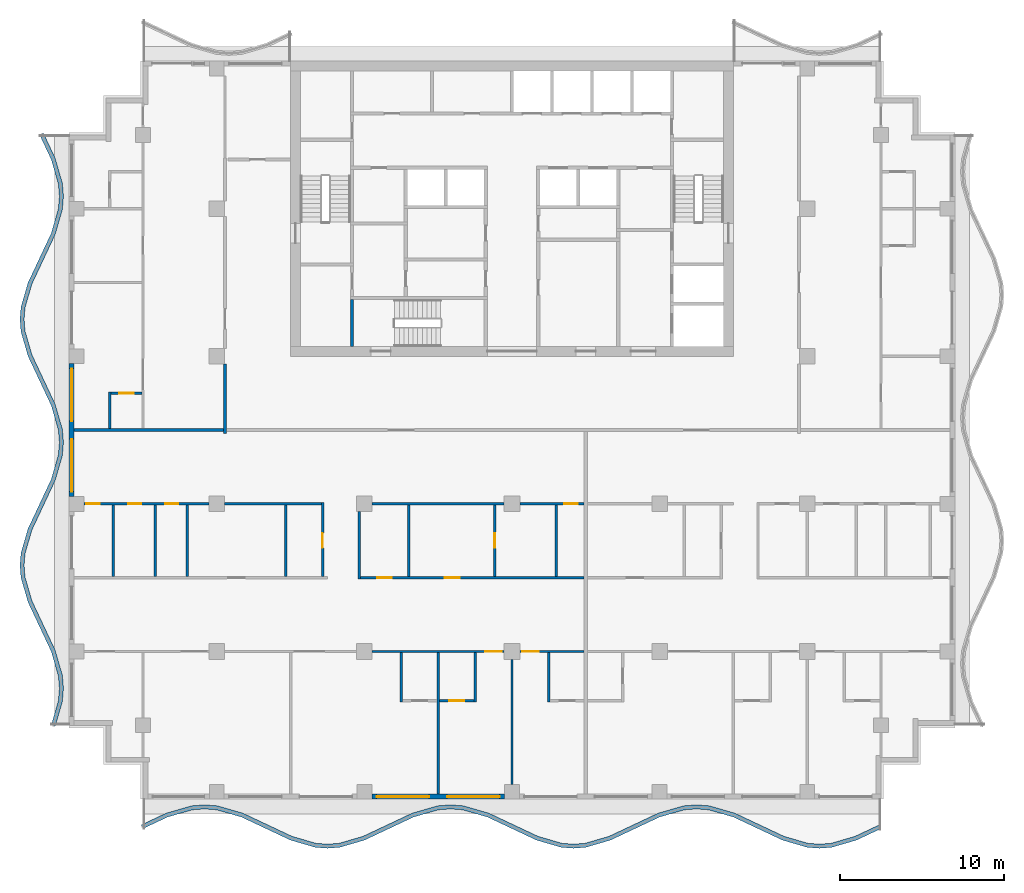
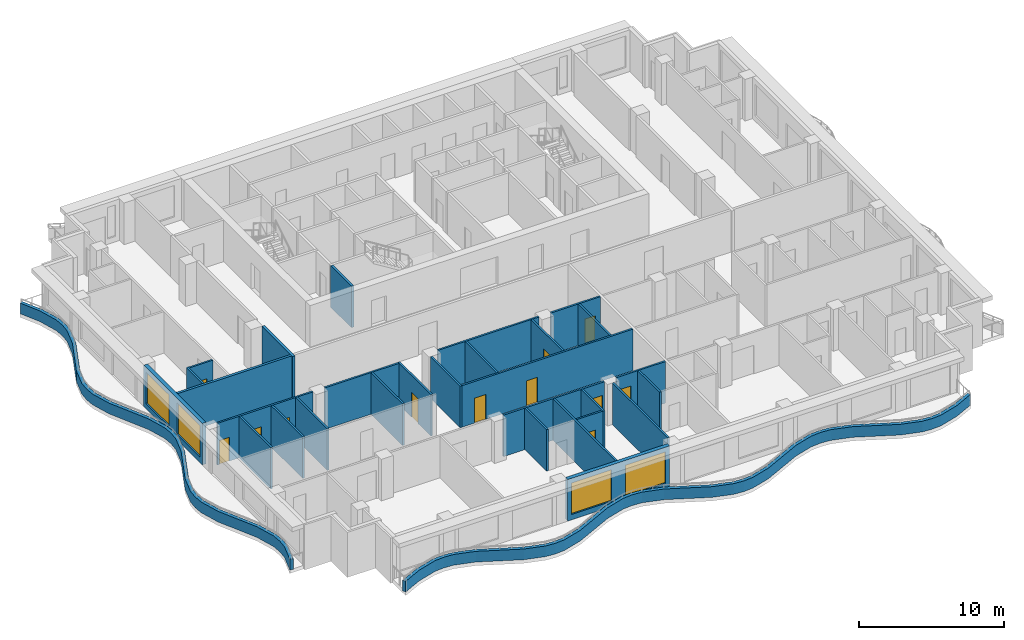
# One storey, part 2 of 11: 31 walls, 12 doors, 4 windows, 16 openings.
"""IFC4 building model written with IfcOpenShell, lengths in metres."""

from ifc_helpers import new_model, si_unit, direction, frame, frame_2d, origin, place, context, subcontext, project, spatial, polyline, rectangle, outline, extrude, material, layer, layer_set, type_object, element, fill, save


model = new_model("IFC4")

# Units and contexts
model_context = context("Model", 3, precision=1e-05, world=origin(), true_north=direction((0.0, 1.0)))
body_context = subcontext(model_context, "Body", "Model", "MODEL_VIEW")
ifc_project = project(units=[si_unit("LENGTHUNIT", "METRE"), si_unit("AREAUNIT", "SQUARE_METRE"), si_unit("VOLUMEUNIT", "CUBIC_METRE"), si_unit("PLANEANGLEUNIT", "RADIAN"), si_unit("MASSUNIT", "GRAM", prefix="KILO")], contexts=[model_context])

# Site, building, storey
site_placement = place(None, origin())
site = spatial("IfcSite", under=ifc_project, at=site_placement, CompositionType="ELEMENT")
building_placement = place(site_placement, origin())
building = spatial("IfcBuilding", under=site, at=building_placement, Name="Orbiselva Terraces", CompositionType="ELEMENT")
storey_placement = place(building_placement, frame((0.0, 0.0, 257.8)))
storey = spatial("IfcBuildingStorey", under=building, at=storey_placement, Name="L65", CompositionType="ELEMENT", Elevation=257.8)

# Walls
ifc_material_1 = material(Name="Concrete C60/75", Category="concrete")
ifc_layer_1 = layer(ifc_material_1, 0.2)
ifc_layer_set_1 = layer_set([ifc_layer_1], Name="Concrete C60/75")
wall_type_1 = type_object("IfcWallType", Name="CORE-WALL-SHEAR-200", PredefinedType="SHEAR", material=ifc_layer_set_1)
wall_1_placement = place(storey_placement, frame((-9.75, 5.1, 0.0), z_axis=(0.0, 0.0, 1.0), x_axis=(0.0, 1.0, 0.0)))
element("IfcWall", 1, at=wall_1_placement, inside=storey, type_object=wall_type_1, Name="L65 core wall 03", PredefinedType="SHEAR", context=body_context, shape_type="SweptSolid", body=[
    extrude(rectangle(XDim=2.85, YDim=0.2, at=frame_2d((1.425, 0.0))), origin(), (0.0, 0.0, 1.0), 3.5),
])
ifc_material_2 = material(Name="Concrete C40/50", Category="concrete")
ifc_layer_2 = layer(ifc_material_2, 0.25)
ifc_layer_set_2 = layer_set([ifc_layer_2], Name="Concrete C40/50")
wall_type_2 = type_object("IfcWallType", Name="ENV-PLANTER-250x900", PredefinedType="USERDEFINED", material=ifc_layer_set_2)
wall_2_placement = place(storey_placement, origin())
element("IfcWall", 2, at=wall_2_placement, inside=storey, type_object=wall_type_2, Name="Balcony planter L65 S", ObjectType="PLANTER", PredefinedType="USERDEFINED", context=body_context, shape_type="SweptSolid", body=[
    extrude(outline(polyline([(-22.5, -24.3), (-21.0, -23.594658), (-19.5, -23.158732), (-18.75, -23.1), (-18.0, -23.158732), (-16.5, -23.594658), (-15.0, -24.3), (-13.5, -25.005342), (-12.0, -25.441268), (-11.25, -25.5), (-10.5, -25.441268), (-9.0, -25.005342), (-7.5, -24.3), (-6.0, -23.594658), (-4.5, -23.158732), (-3.75, -23.1), (-3.0, -23.158732), (-1.5, -23.594658), (0.0, -24.3), (1.5, -25.005342), (3.0, -25.441268), (3.75, -25.5), (4.5, -25.441268), (6.0, -25.005342), (7.5, -24.3), (9.0, -23.594658), (10.5, -23.158732), (11.25, -23.1), (12.0, -23.158732), (13.5, -23.594658), (15.0, -24.3), (16.5, -25.005342), (18.0, -25.441268), (18.75, -25.5), (19.5, -25.441268), (21.0, -25.005342), (22.5, -24.3), (22.393617, -24.073764), (20.911382, -24.770753), (19.454886, -25.194035), (18.75, -25.249235), (18.045114, -25.194035), (16.588618, -24.770753), (15.106383, -24.073764), (13.588618, -23.360069), (12.045114, -22.911499), (11.25, -22.849235), (10.454886, -22.911499), (8.911382, -23.360069), (7.393617, -24.073764), (5.911382, -24.770753), (4.454886, -25.194035), (3.75, -25.249235), (3.045114, -25.194035), (1.588618, -24.770753), (0.106383, -24.073764), (-1.411382, -23.360069), (-2.954886, -22.911499), (-3.75, -22.849235), (-4.545114, -22.911499), (-6.088618, -23.360069), (-7.606383, -24.073764), (-9.088618, -24.770753), (-10.545114, -25.194035), (-11.25, -25.249235), (-11.954886, -25.194035), (-13.411382, -24.770753), (-14.893617, -24.073764), (-16.411382, -23.360069), (-17.954886, -22.911499), (-18.75, -22.849235), (-19.545114, -22.911499), (-21.088618, -23.360069), (-22.606383, -24.073764), (-22.5, -24.3)])), origin(), (0.0, 0.0, 1.0), 0.9),
])
wall_3_placement = place(storey_placement, origin())
element("IfcWall", 3, at=wall_3_placement, inside=storey, type_object=wall_type_2, Name="Balcony planter L65 W", ObjectType="PLANTER", PredefinedType="USERDEFINED", context=body_context, shape_type="SweptSolid", body=[
    extrude(outline(polyline([(-28.8, 18.0), (-28.094658, 16.5), (-27.658732, 15.0), (-27.6, 14.25), (-27.658732, 13.5), (-28.094658, 12.0), (-28.8, 10.5), (-29.505342, 9.0), (-29.941268, 7.5), (-30.0, 6.75), (-29.941268, 6.0), (-29.505342, 4.5), (-28.8, 3.0), (-28.094658, 1.5), (-27.658732, 0.0), (-27.6, -0.75), (-27.658732, -1.5), (-28.094658, -3.0), (-28.8, -4.5), (-29.505342, -6.0), (-29.941268, -7.5), (-30.0, -8.25), (-29.941268, -9.0), (-29.505342, -10.5), (-28.8, -12.0), (-28.094658, -13.5), (-27.658732, -15.0), (-27.6, -15.75), (-27.658732, -16.5), (-28.094658, -18.0), (-27.85459, -18.069768), (-27.411499, -16.545114), (-27.349235, -15.75), (-27.411499, -14.954886), (-27.860069, -13.411382), (-28.573764, -11.893617), (-29.270753, -10.411382), (-29.694035, -8.954886), (-29.749235, -8.25), (-29.694035, -7.545114), (-29.270753, -6.088618), (-28.573764, -4.606383), (-27.860069, -3.088618), (-27.411499, -1.545114), (-27.349235, -0.75), (-27.411499, 0.045114), (-27.860069, 1.588618), (-28.573764, 3.106383), (-29.270753, 4.588618), (-29.694035, 6.045114), (-29.749235, 6.75), (-29.694035, 7.454886), (-29.270753, 8.911382), (-28.573764, 10.393617), (-27.860069, 11.911382), (-27.411499, 13.454886), (-27.349235, 14.25), (-27.411499, 15.045114), (-27.860069, 16.588618), (-28.573764, 18.106383), (-28.8, 18.0)])), origin(), (0.0, 0.0, 1.0), 0.9),
])

# Wall, openings, windows
ifc_material_3 = material(Name="Terracotta cladding on masonry backing", Category="masonry")
ifc_layer_3 = layer(ifc_material_3, 0.3)
ifc_layer_set_3 = layer_set([ifc_layer_3], Name="Terracotta cladding on masonry backing")
wall_type_3 = type_object("IfcWallType", Name="ENV-WALL-TERRACOTTA-300", PredefinedType="SOLIDWALL", material=ifc_layer_set_3)
wall_4_placement = place(storey_placement, frame((-0.45, -22.35, 0.0), z_axis=(0.0, 0.0, 1.0), x_axis=(-1.0, 0.0, 0.0)))
wall_4 = element("IfcWall", 4, at=wall_4_placement, inside=storey, type_object=wall_type_3, Name="Facade wall L65 S", PredefinedType="SOLIDWALL", context=body_context, shape_type="SweptSolid", body=[
    extrude(rectangle(XDim=8.1, YDim=0.3, at=frame_2d((4.05, 0.0))), origin(), (0.0, 0.0, 1.0), 3.5),
])
opening_1_placement = place(wall_4_placement, frame((4.6, 0.0, 0.45)))
opening_1 = element("IfcOpeningElement", 5, at=opening_1_placement, cuts=wall_4, Name="Opening WN17", PredefinedType="OPENING", context=body_context, shape_type="SweptSolid", body=[
    extrude(rectangle(XDim=3.2, YDim=2.65, at=frame_2d((1.6, 1.325))), frame((0.0, 0.16, 0.0), z_axis=(0.0, -1.0, 0.0), x_axis=(1.0, 0.0, 0.0)), (0.0, 0.0, 1.0), 0.32),
])
opening_2_placement = place(wall_4_placement, frame((0.3, 0.0, 0.45)))
opening_2 = element("IfcOpeningElement", 6, at=opening_2_placement, cuts=wall_4, Name="Opening WN17", PredefinedType="OPENING", context=body_context, shape_type="SweptSolid", body=[
    extrude(rectangle(XDim=3.2, YDim=2.65, at=frame_2d((1.6, 1.325))), frame((0.0, 0.16, 0.0), z_axis=(0.0, -1.0, 0.0), x_axis=(1.0, 0.0, 0.0)), (0.0, 0.0, 1.0), 0.32),
])
ifc_material_4 = material(Name="Clear low-e glazing in aluminium frame", Category="aluminium")
window_type = type_object("IfcWindowType", Name="WINDOW 3200 X 2650 S450", PartitioningType="TRIPLE_PANEL_VERTICAL", PredefinedType="WINDOW", material=ifc_material_4)
window_1_placement = place(opening_1_placement, origin())
window_1 = element("IfcWindow", 7, at=window_1_placement, inside=storey, type_object=window_type, Name="Window L65 S", OverallHeight=2.65, OverallWidth=3.2, PartitioningType="SINGLE_PANEL", PredefinedType="WINDOW", context=body_context, shape_type="SweptSolid", body=[
    extrude(rectangle(XDim=3.2, YDim=2.65, at=frame_2d((1.6, 1.325))), frame((0.0, 0.03, 0.0), z_axis=(0.0, -1.0, 0.0), x_axis=(1.0, 0.0, 0.0)), (0.0, 0.0, 1.0), 0.06),
])
fill(opening_1, window_1)
window_2_placement = place(opening_2_placement, origin())
window_2 = element("IfcWindow", 8, at=window_2_placement, inside=storey, type_object=window_type, Name="Window L65 S", OverallHeight=2.65, OverallWidth=3.2, PartitioningType="SINGLE_PANEL", PredefinedType="WINDOW", context=body_context, shape_type="SweptSolid", body=[
    extrude(rectangle(XDim=3.2, YDim=2.65, at=frame_2d((1.6, 1.325))), frame((0.0, 0.03, 0.0), z_axis=(0.0, -1.0, 0.0), x_axis=(1.0, 0.0, 0.0)), (0.0, 0.0, 1.0), 0.06),
])
fill(opening_2, window_2)

wall_5_placement = place(storey_placement, frame((-26.85, -4.05, 0.0), z_axis=(0.0, 0.0, 1.0), x_axis=(0.0, 1.0, 0.0)))
wall_5 = element("IfcWall", 9, at=wall_5_placement, inside=storey, type_object=wall_type_3, Name="Facade wall L65 W", PredefinedType="SOLIDWALL", context=body_context, shape_type="SweptSolid", body=[
    extrude(rectangle(XDim=8.1, YDim=0.3, at=frame_2d((4.05, 0.0))), origin(), (0.0, 0.0, 1.0), 3.5),
])
opening_3_placement = place(wall_5_placement, frame((4.6, 0.0, 0.45)))
opening_3 = element("IfcOpeningElement", 10, at=opening_3_placement, cuts=wall_5, Name="Opening WN17", PredefinedType="OPENING", context=body_context, shape_type="SweptSolid", body=[
    extrude(rectangle(XDim=3.2, YDim=2.65, at=frame_2d((1.6, 1.325))), frame((0.0, 0.16, 0.0), z_axis=(0.0, -1.0, 0.0), x_axis=(1.0, 0.0, 0.0)), (0.0, 0.0, 1.0), 0.32),
])
opening_4_placement = place(wall_5_placement, frame((0.3, 0.0, 0.45)))
opening_4 = element("IfcOpeningElement", 11, at=opening_4_placement, cuts=wall_5, Name="Opening WN17", PredefinedType="OPENING", context=body_context, shape_type="SweptSolid", body=[
    extrude(rectangle(XDim=3.2, YDim=2.65, at=frame_2d((1.6, 1.325))), frame((0.0, 0.16, 0.0), z_axis=(0.0, -1.0, 0.0), x_axis=(1.0, 0.0, 0.0)), (0.0, 0.0, 1.0), 0.32),
])
window_3_placement = place(opening_3_placement, origin())
window_3 = element("IfcWindow", 12, at=window_3_placement, inside=storey, type_object=window_type, Name="Window L65 W", OverallHeight=2.65, OverallWidth=3.2, PartitioningType="SINGLE_PANEL", PredefinedType="WINDOW", context=body_context, shape_type="SweptSolid", body=[
    extrude(rectangle(XDim=3.2, YDim=2.65, at=frame_2d((1.6, 1.325))), frame((0.0, 0.03, 0.0), z_axis=(0.0, -1.0, 0.0), x_axis=(1.0, 0.0, 0.0)), (0.0, 0.0, 1.0), 0.06),
])
fill(opening_3, window_3)
window_4_placement = place(opening_4_placement, origin())
window_4 = element("IfcWindow", 13, at=window_4_placement, inside=storey, type_object=window_type, Name="Window L65 W", OverallHeight=2.65, OverallWidth=3.2, PartitioningType="SINGLE_PANEL", PredefinedType="WINDOW", context=body_context, shape_type="SweptSolid", body=[
    extrude(rectangle(XDim=3.2, YDim=2.65, at=frame_2d((1.6, 1.325))), frame((0.0, 0.03, 0.0), z_axis=(0.0, -1.0, 0.0), x_axis=(1.0, 0.0, 0.0)), (0.0, 0.0, 1.0), 0.06),
])
fill(opening_4, window_4)

# Wall
ifc_material_5 = material(Name="Plasterboard on steel stud partition", Category="steel")
ifc_layer_4 = layer(ifc_material_5, 0.2)
ifc_layer_set_4 = layer_set([ifc_layer_4], Name="Plasterboard on steel stud partition")
wall_type_4 = type_object("IfcWallType", Name="UNIT-ENTRANCE-WALL-200", PredefinedType="PARTITIONING", material=ifc_layer_set_4)
wall_6_placement = place(storey_placement, frame((-17.5, -0.2, 0.0), z_axis=(0.0, 0.0, 1.0), x_axis=(0.0, 1.0, 0.0)))
element("IfcWall", 14, at=wall_6_placement, inside=storey, type_object=wall_type_4, Name="PARTITION L65-048", PredefinedType="PARTITIONING", context=body_context, shape_type="SweptSolid", body=[
    extrude(rectangle(XDim=4.225, YDim=0.2, at=frame_2d((2.1125, 0.0))), origin(), (0.0, 0.0, 1.0), 3.5),
])

# Wall, opening, door
ifc_layer_5 = layer(ifc_material_5, 0.15)
ifc_layer_set_5 = layer_set([ifc_layer_5], Name="Plasterboard on steel stud partition")
wall_type_5 = type_object("IfcWallType", Name="UNIT-PARTITION-150", PredefinedType="PARTITIONING", material=ifc_layer_set_5)
wall_7_placement = place(storey_placement, frame((-4.425, -16.5, 0.0), z_axis=(0.0, 0.0, 1.0), x_axis=(1.0, 0.0, 0.0)))
wall_7 = element("IfcWall", 15, at=wall_7_placement, inside=storey, type_object=wall_type_5, Name="PARTITION L65-002", PredefinedType="PARTITIONING", context=body_context, shape_type="SweptSolid", body=[
    extrude(rectangle(XDim=2.1, YDim=0.15, at=frame_2d((1.05, 0.0))), origin(), (0.0, 0.0, 1.0), 3.5),
])
opening_5_placement = place(wall_7_placement, frame((0.6, 0.0, 0.0)))
opening_5 = element("IfcOpeningElement", 16, at=opening_5_placement, cuts=wall_7, Name="Opening Z5-B-29", PredefinedType="OPENING", context=body_context, shape_type="SweptSolid", body=[
    extrude(rectangle(XDim=0.9, YDim=2.1, at=frame_2d((0.45, 1.05))), frame((0.0, 0.085, 0.0), z_axis=(0.0, -1.0, 0.0), x_axis=(1.0, 0.0, 0.0)), (0.0, 0.0, 1.0), 0.17),
])
ifc_material_6 = material(Name="Painted timber door leaf", Category="wood")
door_type_1 = type_object("IfcDoorType", Name="BATH DOOR 900", OperationType="NOTDEFINED", PredefinedType="DOOR", material=ifc_material_6)
door_1_placement = place(opening_5_placement, origin())
door_1 = element("IfcDoor", 17, at=door_1_placement, inside=storey, type_object=door_type_1, Name="Z5-B-29", OperationType="SINGLE_SWING_RIGHT", OverallHeight=2.1, OverallWidth=0.9, PredefinedType="DOOR", context=body_context, shape_type="SweptSolid", body=[
    extrude(rectangle(XDim=0.9, YDim=2.1, at=frame_2d((0.45, 1.05))), frame((0.0, 0.025, 0.0), z_axis=(0.0, -1.0, 0.0), x_axis=(1.0, 0.0, 0.0)), (0.0, 0.0, 1.0), 0.05),
])
fill(opening_5, door_1)

wall_8_placement = place(storey_placement, frame((-0.475, -13.5, 0.0), z_axis=(0.0, 0.0, 1.0), x_axis=(-1.0, 0.0, 0.0)))
wall_8 = element("IfcWall", 18, at=wall_8_placement, inside=storey, type_object=wall_type_5, Name="PARTITION L65-009", PredefinedType="PARTITIONING", context=body_context, shape_type="SweptSolid", body=[
    extrude(rectangle(XDim=8.05, YDim=0.15, at=frame_2d((4.025, 0.0))), origin(), (0.0, 0.0, 1.0), 3.5),
])
opening_6_placement = place(wall_8_placement, frame((0.15, 0.0, 0.0)))
opening_6 = element("IfcOpeningElement", 19, at=opening_6_placement, cuts=wall_8, Name="Opening Z5-B-28", PredefinedType="OPENING", context=body_context, shape_type="SweptSolid", body=[
    extrude(rectangle(XDim=1.0, YDim=2.4, at=frame_2d((0.5, 1.2))), frame((0.0, 0.085, 0.0), z_axis=(0.0, -1.0, 0.0), x_axis=(1.0, 0.0, 0.0)), (0.0, 0.0, 1.0), 0.17),
])
door_type_2 = type_object("IfcDoorType", Name="ROOM DOOR 1000", OperationType="NOTDEFINED", PredefinedType="DOOR", material=ifc_material_6)
door_2_placement = place(opening_6_placement, origin())
door_2 = element("IfcDoor", 20, at=door_2_placement, inside=storey, type_object=door_type_2, Name="Z5-B-28", OperationType="SINGLE_SWING_LEFT", OverallHeight=2.4, OverallWidth=1.0, PredefinedType="DOOR", context=body_context, shape_type="SweptSolid", body=[
    extrude(rectangle(XDim=1.0, YDim=2.4, at=frame_2d((0.5, 1.2))), frame((0.0, 0.025, 0.0), z_axis=(0.0, -1.0, 0.0), x_axis=(1.0, 0.0, 0.0)), (0.0, 0.0, 1.0), 0.05),
])
fill(opening_6, door_2)

wall_9_placement = place(storey_placement, frame((4.4, -13.5, 0.0), z_axis=(0.0, 0.0, 1.0), x_axis=(-1.0, 0.0, 0.0)))
wall_9 = element("IfcWall", 21, at=wall_9_placement, inside=storey, type_object=wall_type_5, Name="PARTITION L65-010", PredefinedType="PARTITIONING", context=body_context, shape_type="SweptSolid", body=[
    extrude(rectangle(XDim=3.925, YDim=0.15, at=frame_2d((1.9625, 0.0))), origin(), (0.0, 0.0, 1.0), 3.5),
])
opening_7_placement = place(wall_9_placement, frame((2.775, 0.0, 0.0)))
opening_7 = element("IfcOpeningElement", 22, at=opening_7_placement, cuts=wall_9, Name="Opening Z5-B-30", PredefinedType="OPENING", context=body_context, shape_type="SweptSolid", body=[
    extrude(rectangle(XDim=1.0, YDim=2.4, at=frame_2d((0.5, 1.2))), frame((0.0, 0.085, 0.0), z_axis=(0.0, -1.0, 0.0), x_axis=(1.0, 0.0, 0.0)), (0.0, 0.0, 1.0), 0.17),
])
door_3_placement = place(opening_7_placement, origin())
door_3 = element("IfcDoor", 23, at=door_3_placement, inside=storey, type_object=door_type_2, Name="Z5-B-30", OperationType="SINGLE_SWING_RIGHT", OverallHeight=2.4, OverallWidth=1.0, PredefinedType="DOOR", context=body_context, shape_type="SweptSolid", body=[
    extrude(rectangle(XDim=1.0, YDim=2.4, at=frame_2d((0.5, 1.2))), frame((0.0, 0.025, 0.0), z_axis=(0.0, -1.0, 0.0), x_axis=(1.0, 0.0, 0.0)), (0.0, 0.0, 1.0), 0.05),
])
fill(opening_7, door_3)

# Wall, openings, doors
wall_10_placement = place(storey_placement, frame((-9.225, -9.0, 0.0), z_axis=(0.0, 0.0, 1.0), x_axis=(1.0, 0.0, 0.0)))
wall_10 = element("IfcWall", 24, at=wall_10_placement, inside=storey, type_object=wall_type_5, Name="PARTITION L65-015", PredefinedType="PARTITIONING", context=body_context, shape_type="SweptSolid", body=[
    extrude(rectangle(XDim=13.625, YDim=0.15, at=frame_2d((6.8125, 0.0))), origin(), (0.0, 0.0, 1.0), 3.5),
])
opening_8_placement = place(wall_10_placement, frame((1.0, 0.0, 0.0)))
opening_8 = element("IfcOpeningElement", 25, at=opening_8_placement, cuts=wall_10, Name="Opening Z5-B-20", PredefinedType="OPENING", context=body_context, shape_type="SweptSolid", body=[
    extrude(rectangle(XDim=0.9, YDim=2.1, at=frame_2d((0.45, 1.05))), frame((0.0, 0.085, 0.0), z_axis=(0.0, -1.0, 0.0), x_axis=(1.0, 0.0, 0.0)), (0.0, 0.0, 1.0), 0.17),
])
opening_9_placement = place(wall_10_placement, frame((5.125, 0.0, 0.0)))
opening_9 = element("IfcOpeningElement", 26, at=opening_9_placement, cuts=wall_10, Name="Opening Z5-B-21", PredefinedType="OPENING", context=body_context, shape_type="SweptSolid", body=[
    extrude(rectangle(XDim=0.9, YDim=2.1, at=frame_2d((0.45, 1.05))), frame((0.0, 0.085, 0.0), z_axis=(0.0, -1.0, 0.0), x_axis=(1.0, 0.0, 0.0)), (0.0, 0.0, 1.0), 0.17),
])
door_type_3 = type_object("IfcDoorType", Name="SERVICE DOOR 900", OperationType="NOTDEFINED", PredefinedType="DOOR", material=ifc_material_6)
door_4_placement = place(opening_8_placement, origin())
door_4 = element("IfcDoor", 27, at=door_4_placement, inside=storey, type_object=door_type_3, Name="Z5-B-20", OperationType="SINGLE_SWING_LEFT", OverallHeight=2.1, OverallWidth=0.9, PredefinedType="DOOR", context=body_context, shape_type="SweptSolid", body=[
    extrude(rectangle(XDim=0.9, YDim=2.1, at=frame_2d((0.45, 1.05))), frame((0.0, 0.025, 0.0), z_axis=(0.0, -1.0, 0.0), x_axis=(1.0, 0.0, 0.0)), (0.0, 0.0, 1.0), 0.05),
])
fill(opening_8, door_4)
door_5_placement = place(opening_9_placement, origin())
door_5 = element("IfcDoor", 28, at=door_5_placement, inside=storey, type_object=door_type_3, Name="Z5-B-21", OperationType="SINGLE_SWING_LEFT", OverallHeight=2.1, OverallWidth=0.9, PredefinedType="DOOR", context=body_context, shape_type="SweptSolid", body=[
    extrude(rectangle(XDim=0.9, YDim=2.1, at=frame_2d((0.45, 1.05))), frame((0.0, 0.025, 0.0), z_axis=(0.0, -1.0, 0.0), x_axis=(1.0, 0.0, 0.0)), (0.0, 0.0, 1.0), 0.05),
])
fill(opening_9, door_5)

wall_11_placement = place(storey_placement, frame((-18.475, -4.5, 0.0), z_axis=(0.0, 0.0, 1.0), x_axis=(-1.0, 0.0, 0.0)))
wall_11 = element("IfcWall", 29, at=wall_11_placement, inside=storey, type_object=wall_type_5, Name="PARTITION L65-018", PredefinedType="PARTITIONING", context=body_context, shape_type="SweptSolid", body=[
    extrude(rectangle(XDim=7.625, YDim=0.15, at=frame_2d((3.8125, 0.0))), origin(), (0.0, 0.0, 1.0), 3.5),
])
opening_10_placement = place(wall_11_placement, frame((6.675, 0.0, 0.0)))
opening_10 = element("IfcOpeningElement", 30, at=opening_10_placement, cuts=wall_11, Name="Opening Z5-B-15", PredefinedType="OPENING", context=body_context, shape_type="SweptSolid", body=[
    extrude(rectangle(XDim=0.8, YDim=2.0, at=frame_2d((0.4, 1.0))), frame((0.0, 0.085, 0.0), z_axis=(0.0, -1.0, 0.0), x_axis=(1.0, 0.0, 0.0)), (0.0, 0.0, 1.0), 0.17),
])
opening_11_placement = place(wall_11_placement, frame((4.125, 0.0, 0.0)))
opening_11 = element("IfcOpeningElement", 31, at=opening_11_placement, cuts=wall_11, Name="Opening Z5-B-16", PredefinedType="OPENING", context=body_context, shape_type="SweptSolid", body=[
    extrude(rectangle(XDim=0.8, YDim=2.0, at=frame_2d((0.4, 1.0))), frame((0.0, 0.085, 0.0), z_axis=(0.0, -1.0, 0.0), x_axis=(1.0, 0.0, 0.0)), (0.0, 0.0, 1.0), 0.17),
])
opening_12_placement = place(wall_11_placement, frame((1.875, 0.0, 0.0)))
opening_12 = element("IfcOpeningElement", 32, at=opening_12_placement, cuts=wall_11, Name="Opening Z5-B-17", PredefinedType="OPENING", context=body_context, shape_type="SweptSolid", body=[
    extrude(rectangle(XDim=0.8, YDim=2.0, at=frame_2d((0.4, 1.0))), frame((0.0, 0.085, 0.0), z_axis=(0.0, -1.0, 0.0), x_axis=(1.0, 0.0, 0.0)), (0.0, 0.0, 1.0), 0.17),
])
door_type_4 = type_object("IfcDoorType", Name="STORE DOOR 800", OperationType="NOTDEFINED", PredefinedType="DOOR", material=ifc_material_6)
door_6_placement = place(opening_10_placement, origin())
door_6 = element("IfcDoor", 33, at=door_6_placement, inside=storey, type_object=door_type_4, Name="Z5-B-15", OperationType="SINGLE_SWING_RIGHT", OverallHeight=2.0, OverallWidth=0.8, PredefinedType="DOOR", context=body_context, shape_type="SweptSolid", body=[
    extrude(rectangle(XDim=0.8, YDim=2.0, at=frame_2d((0.4, 1.0))), frame((0.0, 0.025, 0.0), z_axis=(0.0, -1.0, 0.0), x_axis=(1.0, 0.0, 0.0)), (0.0, 0.0, 1.0), 0.05),
])
fill(opening_10, door_6)
door_7_placement = place(opening_11_placement, origin())
door_7 = element("IfcDoor", 34, at=door_7_placement, inside=storey, type_object=door_type_4, Name="Z5-B-16", OperationType="SINGLE_SWING_RIGHT", OverallHeight=2.0, OverallWidth=0.8, PredefinedType="DOOR", context=body_context, shape_type="SweptSolid", body=[
    extrude(rectangle(XDim=0.8, YDim=2.0, at=frame_2d((0.4, 1.0))), frame((0.0, 0.025, 0.0), z_axis=(0.0, -1.0, 0.0), x_axis=(1.0, 0.0, 0.0)), (0.0, 0.0, 1.0), 0.05),
])
fill(opening_11, door_7)
door_8_placement = place(opening_12_placement, origin())
door_8 = element("IfcDoor", 35, at=door_8_placement, inside=storey, type_object=door_type_4, Name="Z5-B-17", OperationType="SINGLE_SWING_LEFT", OverallHeight=2.0, OverallWidth=0.8, PredefinedType="DOOR", context=body_context, shape_type="SweptSolid", body=[
    extrude(rectangle(XDim=0.8, YDim=2.0, at=frame_2d((0.4, 1.0))), frame((0.0, 0.025, 0.0), z_axis=(0.0, -1.0, 0.0), x_axis=(1.0, 0.0, 0.0)), (0.0, 0.0, 1.0), 0.05),
])
fill(opening_12, door_8)

# Walls
wall_12_placement = place(storey_placement, frame((-17.525, -4.5, 0.0), z_axis=(0.0, 0.0, 1.0), x_axis=(1.0, 0.0, 0.0)))
element("IfcWall", 36, at=wall_12_placement, inside=storey, type_object=wall_type_5, Name="PARTITION L65-019", PredefinedType="PARTITIONING", context=body_context, shape_type="SweptSolid", body=[
    extrude(rectangle(XDim=5.9, YDim=0.15, at=frame_2d((2.95, 0.0))), origin(), (0.0, 0.0, 1.0), 3.5),
])
wall_13_placement = place(storey_placement, frame((-8.525, -4.5, 0.0), z_axis=(0.0, 0.0, 1.0), x_axis=(1.0, 0.0, 0.0)))
element("IfcWall", 37, at=wall_13_placement, inside=storey, type_object=wall_type_5, Name="PARTITION L65-020", PredefinedType="PARTITIONING", context=body_context, shape_type="SweptSolid", body=[
    extrude(rectangle(XDim=8.05, YDim=0.15, at=frame_2d((4.025, 0.0))), origin(), (0.0, 0.0, 1.0), 3.5),
])

# Wall, opening, door
wall_14_placement = place(storey_placement, frame((4.4, -4.5, 0.0), z_axis=(0.0, 0.0, 1.0), x_axis=(-1.0, 0.0, 0.0)))
wall_14 = element("IfcWall", 38, at=wall_14_placement, inside=storey, type_object=wall_type_5, Name="PARTITION L65-021", PredefinedType="PARTITIONING", context=body_context, shape_type="SweptSolid", body=[
    extrude(rectangle(XDim=3.925, YDim=0.15, at=frame_2d((1.9625, 0.0))), origin(), (0.0, 0.0, 1.0), 3.5),
])
opening_13_placement = place(wall_14_placement, frame((0.4, 0.0, 0.0)))
opening_13 = element("IfcOpeningElement", 39, at=opening_13_placement, cuts=wall_14, Name="Opening Z5-B-23", PredefinedType="OPENING", context=body_context, shape_type="SweptSolid", body=[
    extrude(rectangle(XDim=0.8, YDim=2.0, at=frame_2d((0.4, 1.0))), frame((0.0, 0.085, 0.0), z_axis=(0.0, -1.0, 0.0), x_axis=(1.0, 0.0, 0.0)), (0.0, 0.0, 1.0), 0.17),
])
door_9_placement = place(opening_13_placement, origin())
door_9 = element("IfcDoor", 40, at=door_9_placement, inside=storey, type_object=door_type_4, Name="Z5-B-23", OperationType="SINGLE_SWING_LEFT", OverallHeight=2.0, OverallWidth=0.8, PredefinedType="DOOR", context=body_context, shape_type="SweptSolid", body=[
    extrude(rectangle(XDim=0.8, YDim=2.0, at=frame_2d((0.4, 1.0))), frame((0.0, 0.025, 0.0), z_axis=(0.0, -1.0, 0.0), x_axis=(1.0, 0.0, 0.0)), (0.0, 0.0, 1.0), 0.05),
])
fill(opening_13, door_9)

wall_15_placement = place(storey_placement, frame((-22.575, 2.25, 0.0), z_axis=(0.0, 0.0, 1.0), x_axis=(-1.0, 0.0, 0.0)))
wall_15 = element("IfcWall", 41, at=wall_15_placement, inside=storey, type_object=wall_type_5, Name="PARTITION L65-029", PredefinedType="PARTITIONING", context=body_context, shape_type="SweptSolid", body=[
    extrude(rectangle(XDim=1.875, YDim=0.15, at=frame_2d((0.9375, 0.0))), origin(), (0.0, 0.0, 1.0), 3.5),
])
opening_14_placement = place(wall_15_placement, frame((0.475, 0.0, 0.0)))
opening_14 = element("IfcOpeningElement", 42, at=opening_14_placement, cuts=wall_15, Name="Opening Z5-B-04", PredefinedType="OPENING", context=body_context, shape_type="SweptSolid", body=[
    extrude(rectangle(XDim=0.9, YDim=2.1, at=frame_2d((0.45, 1.05))), frame((0.0, 0.085, 0.0), z_axis=(0.0, -1.0, 0.0), x_axis=(1.0, 0.0, 0.0)), (0.0, 0.0, 1.0), 0.17),
])
door_10_placement = place(opening_14_placement, origin())
door_10 = element("IfcDoor", 43, at=door_10_placement, inside=storey, type_object=door_type_1, Name="Z5-B-04", OperationType="SINGLE_SWING_LEFT", OverallHeight=2.1, OverallWidth=0.9, PredefinedType="DOOR", context=body_context, shape_type="SweptSolid", body=[
    extrude(rectangle(XDim=0.9, YDim=2.1, at=frame_2d((0.45, 1.05))), frame((0.0, 0.025, 0.0), z_axis=(0.0, -1.0, 0.0), x_axis=(1.0, 0.0, 0.0)), (0.0, 0.0, 1.0), 0.05),
])
fill(opening_14, door_10)

# Walls
wall_16_placement = place(storey_placement, frame((-24.525, 0.1, 0.0), z_axis=(0.0, 0.0, 1.0), x_axis=(0.0, 1.0, 0.0)))
element("IfcWall", 44, at=wall_16_placement, inside=storey, type_object=wall_type_5, Name="PARTITION L65-039", PredefinedType="PARTITIONING", context=body_context, shape_type="SweptSolid", body=[
    extrude(rectangle(XDim=2.225, YDim=0.15, at=frame_2d((1.1125, 0.0))), origin(), (0.0, 0.0, 1.0), 3.5),
])
for number, where, z_axis, x_axis, name in (
    (45, (-24.3, -8.925, 0.0), (0.0, 0.0, 1.0), (0.0, 1.0, 0.0), "PARTITION L65-041"),
    (46, (-21.75, -8.925, 0.0), (0.0, 0.0, 1.0), (0.0, 1.0, 0.0), "PARTITION L65-046"),
    (47, (-19.8, -8.925, 0.0), (0.0, 0.0, 1.0), (0.0, 1.0, 0.0), "PARTITION L65-047"),
    (48, (-13.8, -8.925, 0.0), (0.0, 0.0, 1.0), (0.0, 1.0, 0.0), "PARTITION L65-052"),
):
    element("IfcWall", number, at=place(storey_placement, frame(where, z_axis=z_axis, x_axis=x_axis)), inside=storey, type_object=wall_type_5, Name=name, PredefinedType="PARTITIONING", context=body_context, shape_type="SweptSolid", body=[
        extrude(rectangle(XDim=4.35, YDim=0.15, at=frame_2d((2.175, 0.0))), origin(), (0.0, 0.0, 1.0), 3.5),
    ])

# Wall, opening, door
wall_17_placement = place(storey_placement, frame((-11.55, -8.925, 0.0), z_axis=(0.0, 0.0, 1.0), x_axis=(0.0, 1.0, 0.0)))
wall_17 = element("IfcWall", 49, at=wall_17_placement, inside=storey, type_object=wall_type_5, Name="PARTITION L65-054", PredefinedType="PARTITIONING", context=body_context, shape_type="SweptSolid", body=[
    extrude(rectangle(XDim=4.5, YDim=0.15, at=frame_2d((2.25, 0.0))), origin(), (0.0, 0.0, 1.0), 3.5),
])
opening_15_placement = place(wall_17_placement, frame((1.75, 0.0, 0.0)))
opening_15 = element("IfcOpeningElement", 50, at=opening_15_placement, cuts=wall_17, Name="Opening Z5-B-19", PredefinedType="OPENING", context=body_context, shape_type="SweptSolid", body=[
    extrude(rectangle(XDim=0.9, YDim=2.1, at=frame_2d((0.45, 1.05))), frame((0.0, 0.085, 0.0), z_axis=(0.0, -1.0, 0.0), x_axis=(1.0, 0.0, 0.0)), (0.0, 0.0, 1.0), 0.17),
])
door_11_placement = place(opening_15_placement, origin())
door_11 = element("IfcDoor", 51, at=door_11_placement, inside=storey, type_object=door_type_1, Name="Z5-B-19", OperationType="SINGLE_SWING_LEFT", OverallHeight=2.1, OverallWidth=0.9, PredefinedType="DOOR", context=body_context, shape_type="SweptSolid", body=[
    extrude(rectangle(XDim=0.9, YDim=2.1, at=frame_2d((0.45, 1.05))), frame((0.0, 0.025, 0.0), z_axis=(0.0, -1.0, 0.0), x_axis=(1.0, 0.0, 0.0)), (0.0, 0.0, 1.0), 0.05),
])
fill(opening_15, door_11)

# Walls
wall_18_placement = place(storey_placement, frame((-9.3, -9.075, 0.0), z_axis=(0.0, 0.0, 1.0), x_axis=(0.0, 1.0, 0.0)))
element("IfcWall", 52, at=wall_18_placement, inside=storey, type_object=wall_type_5, Name="PARTITION L65-055", PredefinedType="PARTITIONING", context=body_context, shape_type="SweptSolid", body=[
    extrude(rectangle(XDim=4.1, YDim=0.15, at=frame_2d((2.05, 0.0))), origin(), (0.0, 0.0, 1.0), 3.5),
])
wall_19_placement = place(storey_placement, frame((-6.75, -16.575, 0.0), z_axis=(0.0, 0.0, 1.0), x_axis=(0.0, 1.0, 0.0)))
element("IfcWall", 53, at=wall_19_placement, inside=storey, type_object=wall_type_5, Name="PARTITION L65-056", PredefinedType="PARTITIONING", context=body_context, shape_type="SweptSolid", body=[
    extrude(rectangle(XDim=3.0, YDim=0.15, at=frame_2d((1.5, 0.0))), origin(), (0.0, 0.0, 1.0), 3.5),
])
wall_20_placement = place(storey_placement, frame((-6.3, -8.925, 0.0), z_axis=(0.0, 0.0, 1.0), x_axis=(0.0, 1.0, 0.0)))
element("IfcWall", 54, at=wall_20_placement, inside=storey, type_object=wall_type_5, Name="PARTITION L65-057", PredefinedType="PARTITIONING", context=body_context, shape_type="SweptSolid", body=[
    extrude(rectangle(XDim=4.35, YDim=0.15, at=frame_2d((2.175, 0.0))), origin(), (0.0, 0.0, 1.0), 3.5),
])
wall_21_placement = place(storey_placement, frame((-4.5, -22.2, 0.0), z_axis=(0.0, 0.0, 1.0), x_axis=(0.0, 1.0, 0.0)))
element("IfcWall", 55, at=wall_21_placement, inside=storey, type_object=wall_type_5, Name="PARTITION L65-058", PredefinedType="PARTITIONING", context=body_context, shape_type="SweptSolid", body=[
    extrude(rectangle(XDim=8.625, YDim=0.15, at=frame_2d((4.3125, 0.0))), origin(), (0.0, 0.0, 1.0), 3.5),
])
wall_22_placement = place(storey_placement, frame((-2.25, -16.575, 0.0), z_axis=(0.0, 0.0, 1.0), x_axis=(0.0, 1.0, 0.0)))
element("IfcWall", 56, at=wall_22_placement, inside=storey, type_object=wall_type_5, Name="PARTITION L65-059", PredefinedType="PARTITIONING", context=body_context, shape_type="SweptSolid", body=[
    extrude(rectangle(XDim=3.0, YDim=0.15, at=frame_2d((1.5, 0.0))), origin(), (0.0, 0.0, 1.0), 3.5),
])

# Wall, opening, door
wall_23_placement = place(storey_placement, frame((-1.05, -4.575, 0.0), z_axis=(0.0, 0.0, 1.0), x_axis=(0.0, -1.0, 0.0)))
wall_23 = element("IfcWall", 57, at=wall_23_placement, inside=storey, type_object=wall_type_5, Name="PARTITION L65-060", PredefinedType="PARTITIONING", context=body_context, shape_type="SweptSolid", body=[
    extrude(rectangle(XDim=4.35, YDim=0.15, at=frame_2d((2.175, 0.0))), origin(), (0.0, 0.0, 1.0), 3.5),
])
opening_16_placement = place(wall_23_placement, frame((1.7, 0.0, 0.0)))
opening_16 = element("IfcOpeningElement", 58, at=opening_16_placement, cuts=wall_23, Name="Opening Z5-B-22", PredefinedType="OPENING", context=body_context, shape_type="SweptSolid", body=[
    extrude(rectangle(XDim=0.9, YDim=2.1, at=frame_2d((0.45, 1.05))), frame((0.0, 0.085, 0.0), z_axis=(0.0, -1.0, 0.0), x_axis=(1.0, 0.0, 0.0)), (0.0, 0.0, 1.0), 0.17),
])
door_12_placement = place(opening_16_placement, origin())
door_12 = element("IfcDoor", 59, at=door_12_placement, inside=storey, type_object=door_type_1, Name="Z5-B-22", OperationType="SINGLE_SWING_LEFT", OverallHeight=2.1, OverallWidth=0.9, PredefinedType="DOOR", context=body_context, shape_type="SweptSolid", body=[
    extrude(rectangle(XDim=0.9, YDim=2.1, at=frame_2d((0.45, 1.05))), frame((0.0, 0.025, 0.0), z_axis=(0.0, -1.0, 0.0), x_axis=(1.0, 0.0, 0.0)), (0.0, 0.0, 1.0), 0.05),
])
fill(opening_16, door_12)

# Walls
wall_24_placement = place(storey_placement, frame((0.0, -21.6, 0.0), z_axis=(0.0, 0.0, 1.0), x_axis=(0.0, 1.0, 0.0)))
element("IfcWall", 60, at=wall_24_placement, inside=storey, type_object=wall_type_5, Name="PARTITION L65-061", PredefinedType="PARTITIONING", context=body_context, shape_type="SweptSolid", body=[
    extrude(rectangle(XDim=7.625, YDim=0.15, at=frame_2d((3.8125, 0.0))), origin(), (0.0, 0.0, 1.0), 3.5),
])
wall_25_placement = place(storey_placement, frame((2.25, -16.575, 0.0), z_axis=(0.0, 0.0, 1.0), x_axis=(0.0, 1.0, 0.0)))
element("IfcWall", 61, at=wall_25_placement, inside=storey, type_object=wall_type_5, Name="PARTITION L65-062", PredefinedType="PARTITIONING", context=body_context, shape_type="SweptSolid", body=[
    extrude(rectangle(XDim=3.0, YDim=0.15, at=frame_2d((1.5, 0.0))), origin(), (0.0, 0.0, 1.0), 3.5),
])
wall_26_placement = place(storey_placement, frame((2.7, -8.925, 0.0), z_axis=(0.0, 0.0, 1.0), x_axis=(0.0, 1.0, 0.0)))
element("IfcWall", 62, at=wall_26_placement, inside=storey, type_object=wall_type_5, Name="PARTITION L65-063", PredefinedType="PARTITIONING", context=body_context, shape_type="SweptSolid", body=[
    extrude(rectangle(XDim=4.35, YDim=0.15, at=frame_2d((2.175, 0.0))), origin(), (0.0, 0.0, 1.0), 3.5),
])
ifc_layer_6 = layer(ifc_material_5, 0.2)
ifc_layer_set_6 = layer_set([ifc_layer_6], Name="Plasterboard on steel stud partition")
wall_type_6 = type_object("IfcWallType", Name="UNIT-PARTY-WALL-200", PredefinedType="PARTITIONING", material=ifc_layer_set_6)
wall_27_placement = place(storey_placement, frame((-26.7, 0.0, 0.0), z_axis=(0.0, 0.0, 1.0), x_axis=(1.0, 0.0, 0.0)))
element("IfcWall", 63, at=wall_27_placement, inside=storey, type_object=wall_type_6, Name="PARTITION L65-027", PredefinedType="PARTITIONING", context=body_context, shape_type="SweptSolid", body=[
    extrude(rectangle(XDim=9.1, YDim=0.2, at=frame_2d((4.55, 0.0))), origin(), (0.0, 0.0, 1.0), 3.5),
])

save(model, "model.ifc")
